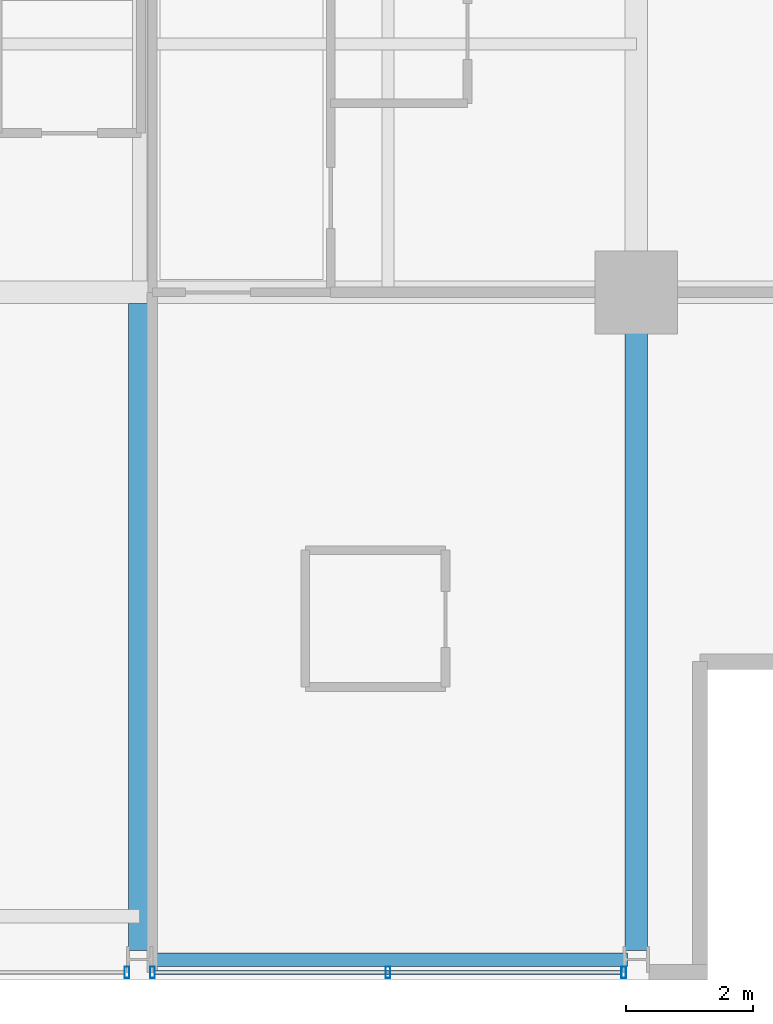
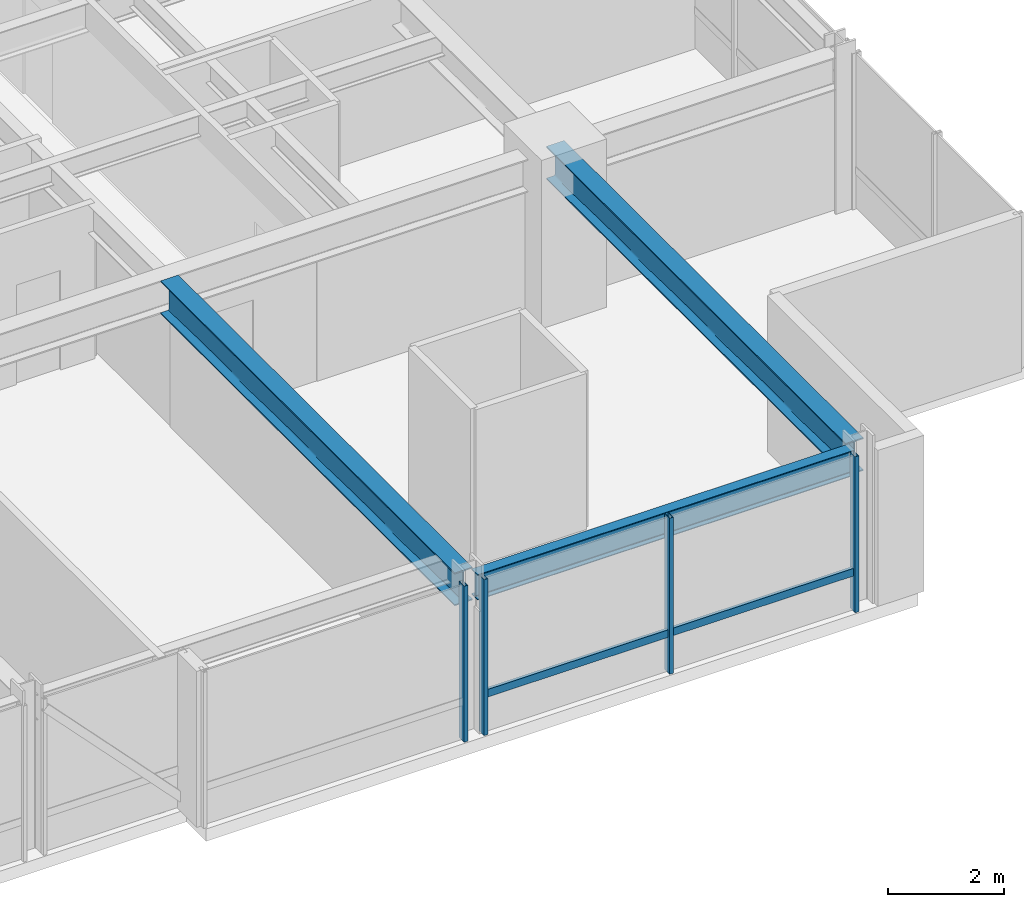
# One storey, part 11 of 34: 5 members, 3 beams, 2 elements without a shape of their own.
"""IFC4 building model written with IfcOpenShell, lengths in metres."""

from ifc_helpers import new_model, si_unit, direction, frame, origin, origin_2d, place, context, subcontext, project, spatial, hollow_rectangle, i_section, extrude, material, layer, layer_set, material_profile, profile_set, type_object, element, aggregate, save


model = new_model("IFC4")

# Units and contexts
model_context = context("Model", 3, precision=1e-05, world=origin(), true_north=direction((0.0, 1.0)))
body_context = subcontext(model_context, "Body", "Model", "MODEL_VIEW")
ifc_project = project(units=[si_unit("LENGTHUNIT", "METRE"), si_unit("AREAUNIT", "SQUARE_METRE"), si_unit("VOLUMEUNIT", "CUBIC_METRE"), si_unit("PLANEANGLEUNIT", "RADIAN"), si_unit("MASSUNIT", "GRAM", prefix="KILO")], contexts=[model_context])

# Site, building, storey
site_placement = place(None, origin())
site = spatial("IfcSite", under=ifc_project, at=site_placement, CompositionType="ELEMENT")
building_placement = place(site_placement, origin())
building = spatial("IfcBuilding", under=site, at=building_placement, Name="Drelvath Grand Hotel", CompositionType="ELEMENT")
storey_placement = place(building_placement, frame((0.0, 0.0, 175.25)))
storey = spatial("IfcBuildingStorey", under=building, at=storey_placement, Name="L45", CompositionType="ELEMENT", Elevation=175.25)

# Curtain wall, member
ifc_material_1 = material(Name="Brushed Pale-Silver Anodised Aluminium Frame", Category="aluminium")
ifc_layer = layer(ifc_material_1, 0.199951171875)
ifc_layer_set = layer_set([ifc_layer], Name="Brushed Pale-Silver Anodised Aluminium Frame")
curtain_wall_type = type_object("IfcCurtainWallType", Name="Stick Curtain Wall CW-04 Brushed Silver Upper-Mid", PredefinedType="NOTDEFINED", material=ifc_layer_set)
curtain_wall_1_placement = place(storey_placement, origin())
curtain_wall_1 = element("IfcCurtainWall", 1, at=curtain_wall_1_placement, inside=storey, type_object=curtain_wall_type, Name="L45 CW-04 Curtain Wall CW04-L45-SE2", PredefinedType="NOTDEFINED")
ifc_material_profile_1 = material_profile(ifc_material_1, hollow_rectangle(XDim=0.06494140625, YDim=0.159912109375, WallThickness=0.00390625, at=origin_2d()), Name="HSS160X65X4")
ifc_profile_set_1 = profile_set([ifc_material_profile_1], Name="Brushed Pale-Silver Anodised Aluminium Frame")
member_type_1 = type_object("IfcMemberType", Name="Curtain Wall Horizontal Transom CW-04 HSS160X65X4", PredefinedType="USERDEFINED", material=ifc_profile_set_1)
member_1_placement = place(storey_placement, frame((15.9599609375, 0.1201171875, 0.822509765625), z_axis=(-1.0, 0.0, 0.0), x_axis=(0.0, -1.0, 0.0)))
member_1 = element("IfcMember", 2, at=member_1_placement, type_object=member_type_1, Name="CW04-L45-SE2 Sill Transom", ObjectType="TRANSOM", PredefinedType="USERDEFINED", context=body_context, shape_type="SweptSolid", body=[
    extrude(hollow_rectangle(XDim=0.06494140625, YDim=0.159912109375, WallThickness=0.00390625, at=origin_2d()), origin(), (0.0, 0.0, 1.0), 7.31982421875),
])

curtain_wall_2_placement = place(storey_placement, origin())
curtain_wall_2 = element("IfcCurtainWall", 3, at=curtain_wall_2_placement, inside=storey, type_object=curtain_wall_type, Name="L45 CW-04 Curtain Wall CW04-L45-SE1", PredefinedType="NOTDEFINED")
ifc_material_profile_2 = material_profile(ifc_material_1, hollow_rectangle(XDim=0.074951171875, YDim=0.179931640625, WallThickness=0.0048828125, at=origin_2d()), Name="HSS180X75X5")
ifc_profile_set_2 = profile_set([ifc_material_profile_2], Name="Brushed Pale-Silver Anodised Aluminium Frame")
member_type_2 = type_object("IfcMemberType", Name="Curtain Wall Vertical Mullion CW-04 HSS180X75X5", PredefinedType="MULLION", material=ifc_profile_set_2)
member_2_placement = place(storey_placement, frame((8.199951171875, 0.1201171875, 0.0), z_axis=(0.0, 0.0, 1.0), x_axis=(1.0, 0.0, 0.0)))
member_2 = element("IfcMember", 4, at=member_2_placement, type_object=member_type_2, Name="CW04-L45-SE1 Mullion 1", PredefinedType="MULLION", context=body_context, shape_type="SweptSolid", body=[
    extrude(hollow_rectangle(XDim=0.074951171875, YDim=0.179931640625, WallThickness=0.0048828125, at=origin_2d()), origin(), (0.0, 0.0, 1.0), 3.2900390625),
])
aggregate(curtain_wall_2, [member_2])

# Member
member_3_placement = place(storey_placement, frame((16.0, 0.1201171875, 0.0), z_axis=(0.0, 0.0, 1.0), x_axis=(1.0, 0.0, 0.0)))
member_3 = element("IfcMember", 5, at=member_3_placement, type_object=member_type_2, Name="CW04-L45-SE2 Mullion 1", PredefinedType="MULLION", context=body_context, shape_type="SweptSolid", body=[
    extrude(hollow_rectangle(XDim=0.074951171875, YDim=0.179931640625, WallThickness=0.0048828125, at=origin_2d()), origin(), (0.0, 0.0, 1.0), 3.2900390625),
])

member_4_placement = place(storey_placement, frame((12.300048828125, 0.1201171875, 0.0), z_axis=(0.0, 0.0, 1.0), x_axis=(1.0, 0.0, 0.0)))
member_4 = element("IfcMember", 6, at=member_4_placement, type_object=member_type_2, Name="CW04-L45-SE2 Mullion 2", PredefinedType="MULLION", context=body_context, shape_type="SweptSolid", body=[
    extrude(hollow_rectangle(XDim=0.074951171875, YDim=0.179931640625, WallThickness=0.0048828125, at=origin_2d()), origin(), (0.0, 0.0, 1.0), 3.2900390625),
])

member_5_placement = place(storey_placement, frame((8.60009765625, 0.1201171875, 0.0), z_axis=(0.0, 0.0, 1.0), x_axis=(1.0, 0.0, 0.0)))
member_5 = element("IfcMember", 7, at=member_5_placement, type_object=member_type_2, Name="CW04-L45-SE2 Mullion 3", PredefinedType="MULLION", context=body_context, shape_type="SweptSolid", body=[
    extrude(hollow_rectangle(XDim=0.074951171875, YDim=0.179931640625, WallThickness=0.0048828125, at=origin_2d()), origin(), (0.0, 0.0, 1.0), 3.2900390625),
])

aggregate(curtain_wall_1, [member_3, member_4, member_5, member_1])

# Beams
ifc_material_2 = material(Name="Steel ASTM A992 Gr 50", Category="steel")
ifc_material_profile_3 = material_profile(ifc_material_2, i_section(OverallWidth=0.210205078125, OverallDepth=0.53662109375, WebThickness=0.010986328125, FlangeThickness=0.017333984375, FilletRadius=0.01806640625, at=origin_2d()), Name="W21X68")
ifc_profile_set_3 = profile_set([ifc_material_profile_3], Name="Steel ASTM A992 Gr 50")
beam_type_1 = type_object("IfcBeamType", Name="Perimeter Spandrel Beam W21X68", PredefinedType="SPANDREL", material=ifc_profile_set_3)
beam_1_placement = place(storey_placement, frame((8.5400390625, 0.320068359375, 3.021484375), z_axis=(1.0, 0.0, 0.0), x_axis=(0.0, 1.0, 0.0)))
element("IfcBeam", 8, at=beam_1_placement, inside=storey, type_object=beam_type_1, Name="L45 Spandrel South E", PredefinedType="SPANDREL", context=body_context, shape_type="SweptSolid", body=[
    extrude(i_section(OverallWidth=0.210205078125, OverallDepth=0.53662109375, WebThickness=0.010986328125, FlangeThickness=0.017333984375, FilletRadius=0.01806640625, at=origin_2d()), origin(), (0.0, 0.0, 1.0), 7.52001953125),
])
ifc_material_profile_4 = material_profile(ifc_material_2, i_section(OverallWidth=0.354736328125, OverallDepth=0.695556640625, WebThickness=0.015380859375, FlangeThickness=0.025146484375, FilletRadius=0.02392578125, at=origin_2d()), Name="W27X146")
ifc_profile_set_4 = profile_set([ifc_material_profile_4], Name="Steel ASTM A992 Gr 50")
beam_type_2 = type_object("IfcBeamType", Name="Primary Floor Girder W27X146", PredefinedType="BEAM", material=ifc_profile_set_4)
beam_2_placement = place(storey_placement, frame((16.199951171875, 0.4599609375, 2.9423828125), z_axis=(0.0, 1.0, 0.0), x_axis=(-1.0, 0.0, 0.0)))
element("IfcBeam", 9, at=beam_2_placement, inside=storey, type_object=beam_type_2, Name="L45 South Grid Girder 7", PredefinedType="BEAM", context=body_context, shape_type="SweptSolid", body=[
    extrude(i_section(OverallWidth=0.354736328125, OverallDepth=0.695556640625, WebThickness=0.015380859375, FlangeThickness=0.025146484375, FilletRadius=0.02392578125, at=origin_2d()), origin(), (0.0, 0.0, 1.0), 10.340087890625),
])
beam_3_placement = place(storey_placement, frame((8.39990234375, 0.4599609375, 2.9423828125), z_axis=(0.0, 1.0, 0.0), x_axis=(-1.0, 0.0, 0.0)))
element("IfcBeam", 10, at=beam_3_placement, inside=storey, type_object=beam_type_2, Name="L45 South Wing Girder 6", PredefinedType="BEAM", context=body_context, shape_type="SweptSolid", body=[
    extrude(i_section(OverallWidth=0.354736328125, OverallDepth=0.695556640625, WebThickness=0.015380859375, FlangeThickness=0.025146484375, FilletRadius=0.02392578125, at=origin_2d()), origin(), (0.0, 0.0, 1.0), 10.16259765625),
])

save(model, "model.ifc")
